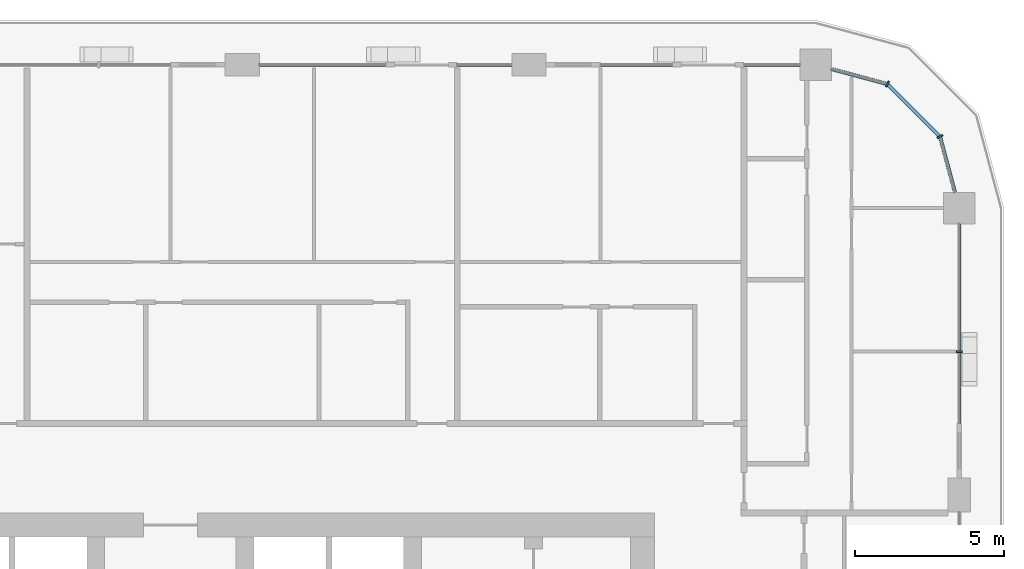
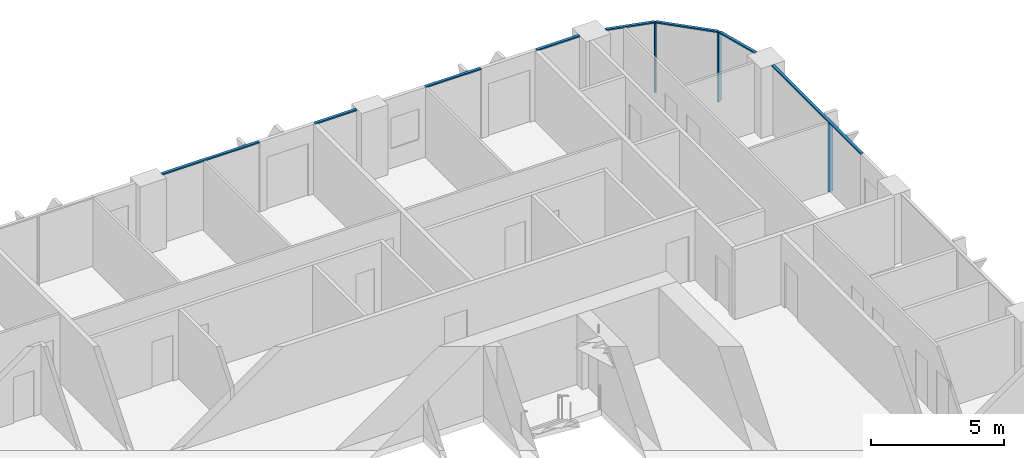
# One storey, part 6 of 22: 11 members, 4 elements without a shape of their own.
"""IFC4 building model written with IfcOpenShell, lengths in metres."""

from ifc_helpers import new_model, si_unit, direction, frame, origin, origin_2d, place, context, subcontext, project, spatial, rectangle, extrude, material, layer, layer_set, material_profile, profile_set, type_object, element, aggregate, save


model = new_model("IFC4")

# Units and contexts
model_context = context("Model", 3, precision=1e-05, world=origin(), true_north=direction((0.0, 1.0)))
body_context = subcontext(model_context, "Body", "Model", "MODEL_VIEW")
ifc_project = project(units=[si_unit("LENGTHUNIT", "METRE"), si_unit("AREAUNIT", "SQUARE_METRE"), si_unit("VOLUMEUNIT", "CUBIC_METRE"), si_unit("PLANEANGLEUNIT", "RADIAN"), si_unit("MASSUNIT", "GRAM", prefix="KILO")], contexts=[model_context])

# Site, building, storey
site_placement = place(None, origin())
site = spatial("IfcSite", under=ifc_project, at=site_placement, CompositionType="ELEMENT")
building_placement = place(site_placement, origin())
building = spatial("IfcBuilding", under=site, at=building_placement, Name="Madar Terraces", CompositionType="ELEMENT")
storey_placement = place(building_placement, frame((0.0, 0.0, 126.10009765625)))
storey = spatial("IfcBuildingStorey", under=building, at=storey_placement, Name="L32", CompositionType="ELEMENT", Elevation=126.10009765625)

# Curtain wall, member
ifc_material_1 = material(Name="Glass, ceramic frit dark grey, with black aluminium frame", Category="aluminium")
ifc_layer = layer(ifc_material_1, 0.199951171875)
ifc_layer_set = layer_set([ifc_layer], Name="Facade curtain wall, fritted glass")
curtain_wall_type = type_object("IfcCurtainWallType", Name="Facade curtain wall, fritted glass", PredefinedType="NOTDEFINED", material=ifc_layer_set)
curtain_wall_1_placement = place(storey_placement, origin())
curtain_wall_1 = element("IfcCurtainWall", 1, at=curtain_wall_1_placement, inside=storey, type_object=curtain_wall_type, Name="Outer skin curtain wall east bay 4", PredefinedType="NOTDEFINED")
ifc_material_2 = material(Name="Aluminium, black anodised", Category="aluminium")
ifc_material_profile_1 = material_profile(ifc_material_2, rectangle(XDim=0.199951171875, YDim=0.06005859375, at=origin_2d()), Name="Facade mullion 60x200")
ifc_profile_set_1 = profile_set([ifc_material_profile_1], Name="Aluminium, black anodised")
member_type_1 = type_object("IfcMemberType", Name="Facade mullion 60x200", PredefinedType="MULLION", material=ifc_profile_set_1)
member_1_placement = place(storey_placement, frame((57.60009765625, 43.199951171875, 0.0), z_axis=(0.0, 0.0, 1.0), x_axis=(-1.0, 0.0, 0.0)))
member_1 = element("IfcMember", 2, at=member_1_placement, type_object=member_type_1, Name="Mullion 1", PredefinedType="MULLION", context=body_context, shape_type="SweptSolid", body=[
    extrude(rectangle(XDim=0.199951171875, YDim=0.06005859375, at=origin_2d()), origin(), (0.0, 0.0, 1.0), 3.139892578125),
])

# Curtain wall, members
curtain_wall_2_placement = place(storey_placement, origin())
curtain_wall_2 = element("IfcCurtainWall", 3, at=curtain_wall_2_placement, inside=storey, type_object=curtain_wall_type, Name="Outer skin curtain wall north-east corner", PredefinedType="NOTDEFINED")
member_2_placement = place(storey_placement, frame((56.95703125, 50.39990234375, 0.0), z_axis=(0.0, 0.0, 1.0), x_axis=(-0.866025409797, -0.499999989586, 0.0)))
member_2 = element("IfcMember", 4, at=member_2_placement, type_object=member_type_1, Name="Mullion 1", PredefinedType="MULLION", context=body_context, shape_type="SweptSolid", body=[
    extrude(rectangle(XDim=0.199951171875, YDim=0.06005859375, at=origin_2d()), origin(), (0.0, 0.0, 1.0), 3.139892578125),
])
member_3_placement = place(storey_placement, frame((55.199951171875, 52.156982421875, 0.0), z_axis=(0.0, 0.0, 1.0), x_axis=(-0.499999989586, -0.866025409797, 0.0)))
member_3 = element("IfcMember", 5, at=member_3_placement, type_object=member_type_1, Name="Mullion 2", PredefinedType="MULLION", context=body_context, shape_type="SweptSolid", body=[
    extrude(rectangle(XDim=0.199951171875, YDim=0.06005859375, at=origin_2d()), origin(), (0.0, 0.0, 1.0), 3.139892578125),
])

# Member
ifc_material_3 = material(Name="Aluminium, black anodised", Category="aluminium")
ifc_material_profile_2 = material_profile(ifc_material_3, rectangle(XDim=0.1201171875, YDim=0.06005859375, at=origin_2d()), Name="Facade transom 60x120")
ifc_profile_set_2 = profile_set([ifc_material_profile_2], Name="Aluminium, black anodised")
member_type_2 = type_object("IfcMemberType", Name="Facade transom 60x120", PredefinedType="USERDEFINED", material=ifc_profile_set_2)
member_4_placement = place(storey_placement, frame((57.60009765625, 40.800048828125, 3.169921875), z_axis=(0.0, 1.0, 0.0), x_axis=(-1.0, 0.0, 0.0)))
member_4 = element("IfcMember", 6, at=member_4_placement, type_object=member_type_2, Name="Transom 1", ObjectType="TRANSOM", PredefinedType="USERDEFINED", context=body_context, shape_type="SweptSolid", body=[
    extrude(rectangle(XDim=0.1201171875, YDim=0.06005859375, at=origin_2d()), origin(), (0.0, 0.0, 1.0), 6.675048828125),
])

aggregate(curtain_wall_1, [member_1, member_4])

# Curtain wall, members
curtain_wall_3_placement = place(storey_placement, origin())
curtain_wall_3 = element("IfcCurtainWall", 7, at=curtain_wall_3_placement, inside=storey, type_object=curtain_wall_type, Name="Outer skin curtain wall north bay 1", PredefinedType="NOTDEFINED")
member_5_placement = place(storey_placement, frame((52.27490234375, 52.800048828125, 3.169921875), z_axis=(-1.0, 0.0, 0.0), x_axis=(0.0, -1.0, 0.0)))
member_5 = element("IfcMember", 8, at=member_5_placement, type_object=member_type_2, Name="Transom 1", ObjectType="TRANSOM", PredefinedType="USERDEFINED", context=body_context, shape_type="SweptSolid", body=[
    extrude(rectangle(XDim=0.1201171875, YDim=0.06005859375, at=origin_2d()), origin(), (0.0, 0.0, 1.0), 1.875),
])
member_6_placement = place(storey_placement, frame((48.0, 52.800048828125, 3.169921875), z_axis=(-1.0, 0.0, 0.0), x_axis=(0.0, -1.0, 0.0)))
member_6 = element("IfcMember", 9, at=member_6_placement, type_object=member_type_2, Name="Transom 2", ObjectType="TRANSOM", PredefinedType="USERDEFINED", context=body_context, shape_type="SweptSolid", body=[
    extrude(rectangle(XDim=0.1201171875, YDim=0.06005859375, at=origin_2d()), origin(), (0.0, 0.0, 1.0), 2.39990234375),
])
aggregate(curtain_wall_3, [member_5, member_6])

curtain_wall_4_placement = place(storey_placement, origin())
curtain_wall_4 = element("IfcCurtainWall", 10, at=curtain_wall_4_placement, inside=storey, type_object=curtain_wall_type, Name="Outer skin curtain wall north bay 2", PredefinedType="NOTDEFINED")
member_7_placement = place(storey_placement, frame((42.625, 52.800048828125, 3.169921875), z_axis=(-1.0, 0.0, 0.0), x_axis=(0.0, -1.0, 0.0)))
member_7 = element("IfcMember", 11, at=member_7_placement, type_object=member_type_2, Name="Transom 1", ObjectType="TRANSOM", PredefinedType="USERDEFINED", context=body_context, shape_type="SweptSolid", body=[
    extrude(rectangle(XDim=0.1201171875, YDim=0.06005859375, at=origin_2d()), origin(), (0.0, 0.0, 1.0), 1.824951171875),
])
member_8_placement = place(storey_placement, frame((38.39990234375, 52.800048828125, 3.169921875), z_axis=(-1.0, 0.0, 0.0), x_axis=(0.0, -1.0, 0.0)))
member_8 = element("IfcMember", 12, at=member_8_placement, type_object=member_type_2, Name="Transom 2", ObjectType="TRANSOM", PredefinedType="USERDEFINED", context=body_context, shape_type="SweptSolid", body=[
    extrude(rectangle(XDim=0.1201171875, YDim=0.06005859375, at=origin_2d()), origin(), (0.0, 0.0, 1.0), 4.224853515625),
])
aggregate(curtain_wall_4, [member_7, member_8])

# Member
member_9_placement = place(storey_placement, frame((57.459228515625, 48.52490234375, 3.169921875), z_axis=(-0.25879142023, 0.965933227928, 0.0), x_axis=(-0.965933227928, -0.25879142023, 0.0)))
member_9 = element("IfcMember", 13, at=member_9_placement, type_object=member_type_2, Name="Transom 1", ObjectType="TRANSOM", PredefinedType="USERDEFINED", context=body_context, shape_type="SweptSolid", body=[
    extrude(rectangle(XDim=0.1201171875, YDim=0.06005859375, at=origin_2d()), origin(), (0.0, 0.0, 1.0), 1.911376953125),
])

member_10_placement = place(storey_placement, frame((56.935791015625, 50.421142578125, 3.169921875), z_axis=(-0.707106781187, 0.707106781187, 0.0), x_axis=(-0.707106781187, -0.707106781187, 0.0)))
member_10 = element("IfcMember", 14, at=member_10_placement, type_object=member_type_2, Name="Transom 2", ObjectType="TRANSOM", PredefinedType="USERDEFINED", context=body_context, shape_type="SweptSolid", body=[
    extrude(rectangle(XDim=0.1201171875, YDim=0.06005859375, at=origin_2d()), origin(), (0.0, 0.0, 1.0), 2.4248046875),
])

member_11_placement = place(storey_placement, frame((55.171142578125, 52.164794921875, 3.169921875), z_axis=(-0.965933227928, 0.25879142023, 0.0), x_axis=(-0.25879142023, -0.965933227928, 0.0)))
member_11 = element("IfcMember", 15, at=member_11_placement, type_object=member_type_2, Name="Transom 3", ObjectType="TRANSOM", PredefinedType="USERDEFINED", context=body_context, shape_type="SweptSolid", body=[
    extrude(rectangle(XDim=0.1201171875, YDim=0.06005859375, at=origin_2d()), origin(), (0.0, 0.0, 1.0), 1.911376953125),
])

aggregate(curtain_wall_2, [member_2, member_9, member_3, member_10, member_11])

save(model, "model.ifc")
